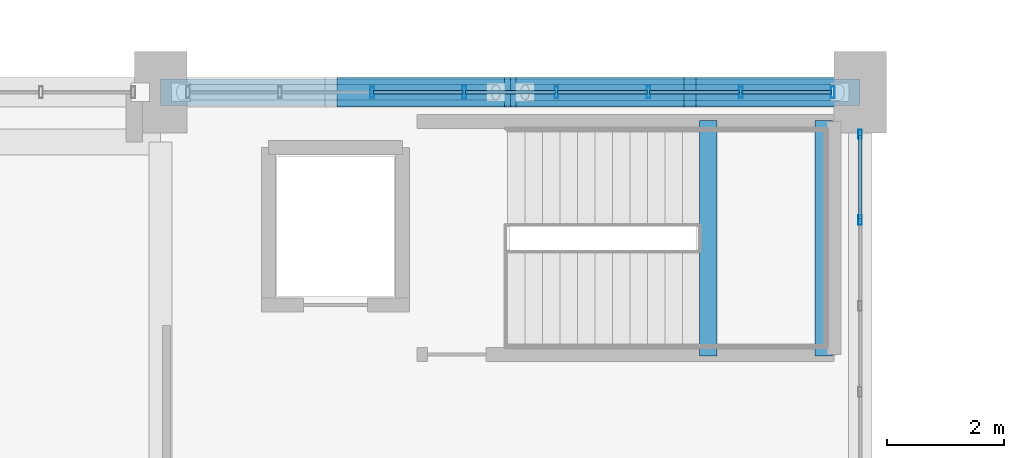
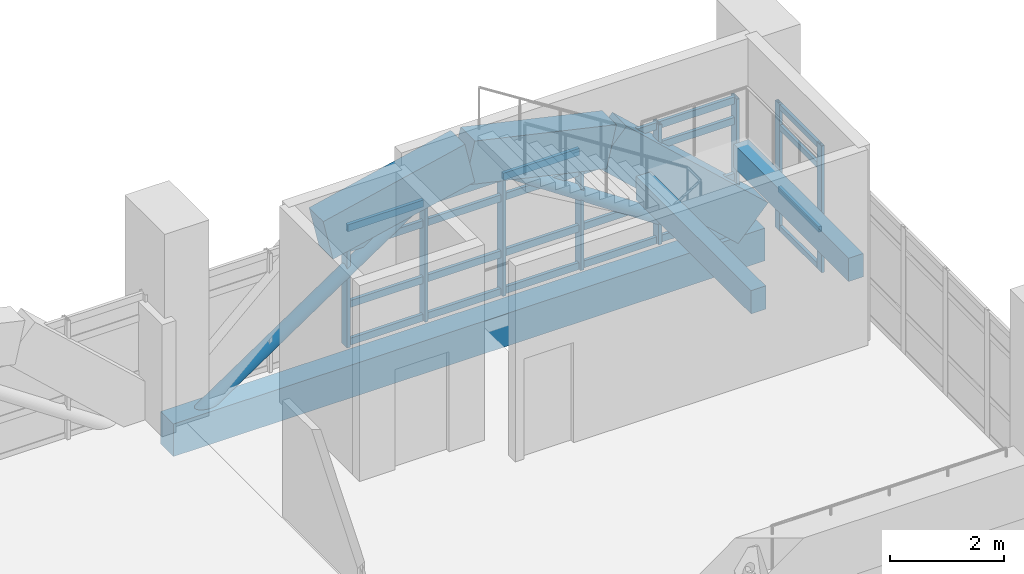
# One storey, part 60 of 161: 34 members, 6 beams, 2 elements without a shape of their own.
"""IFC4 building model written with IfcOpenShell, lengths in metres."""

from ifc_helpers import new_model, si_unit, direction, frame, origin, origin_2d, place, context, subcontext, project, spatial, rectangle, hollow_rectangle, hollow_circle, extrude, material, layer, layer_set, material_profile, profile_set, type_object, element, aggregate, save


model = new_model("IFC4")

# Units and contexts
model_context = context("Model", 3, precision=1e-05, world=origin(), true_north=direction((0.0, 1.0)))
body_context = subcontext(model_context, "Body", "Model", "MODEL_VIEW")
ifc_project = project(units=[si_unit("LENGTHUNIT", "METRE"), si_unit("AREAUNIT", "SQUARE_METRE"), si_unit("VOLUMEUNIT", "CUBIC_METRE"), si_unit("PLANEANGLEUNIT", "RADIAN"), si_unit("MASSUNIT", "GRAM", prefix="KILO")], contexts=[model_context])

# Site, building, storey
site_placement = place(None, origin())
site = spatial("IfcSite", under=ifc_project, at=site_placement, CompositionType="ELEMENT")
building_placement = place(site_placement, origin())
building = spatial("IfcBuilding", under=site, at=building_placement, Name="Mersad Railyard Sports Hall", CompositionType="ELEMENT")
storey_placement = place(building_placement, frame((0.0, 0.0, 4.800048828125)))
storey = spatial("IfcBuildingStorey", under=building, at=storey_placement, Name="L01", CompositionType="ELEMENT", Elevation=4.800048828125)

# Curtain wall, members
ifc_material_1 = material(Name="Aluminium 6063-T6", Category="aluminium")
ifc_layer_1 = layer(ifc_material_1, 0.159912109375)
ifc_layer_set_1 = layer_set([ifc_layer_1], Name="Aluminium 6063-T6")
curtain_wall_type_1 = type_object("IfcCurtainWallType", Name="ARC-CW-CW03", PredefinedType="USERDEFINED", material=ifc_layer_set_1)
curtain_wall_1_placement = place(storey_placement, origin())
curtain_wall_1 = element("IfcCurtainWall", 1, at=curtain_wall_1_placement, inside=storey, type_object=curtain_wall_type_1, Name="Curtain wall CW03-0028", ObjectType="CURTAIN WALL", PredefinedType="USERDEFINED")
ifc_material_profile_1 = material_profile(ifc_material_1, hollow_rectangle(XDim=0.06005859375, YDim=0.159912109375, WallThickness=0.00390625, at=origin_2d()), Name="AL MULLION 60x160x4")
ifc_profile_set_1 = profile_set([ifc_material_profile_1], Name="Aluminium 6063-T6")
member_type_1 = type_object("IfcMemberType", Name="ARC-CW-MUL01", PredefinedType="MULLION", material=ifc_profile_set_1)
member_1_placement = place(storey_placement, frame((91.0, 52.780029296875, -0.02001953125), z_axis=(0.0, 0.0, 1.0), x_axis=(1.0, 0.0, 0.0)))
member_1 = element("IfcMember", 2, at=member_1_placement, type_object=member_type_1, Name="CW03 Mullion 1", PredefinedType="MULLION", context=body_context, shape_type="SweptSolid", body=[
    extrude(hollow_rectangle(XDim=0.06005859375, YDim=0.159912109375, WallThickness=0.00390625, at=origin_2d()), origin(), (0.0, 0.0, 1.0), 2.719970703125),
])
member_2_placement = place(storey_placement, frame((91.0, 51.3076171875, -0.02001953125), z_axis=(0.0, 0.0, 1.0), x_axis=(1.0, 0.0, 0.0)))
member_2 = element("IfcMember", 3, at=member_2_placement, type_object=member_type_1, Name="CW03 Mullion 2", PredefinedType="MULLION", context=body_context, shape_type="SweptSolid", body=[
    extrude(hollow_rectangle(XDim=0.06005859375, YDim=0.159912109375, WallThickness=0.00390625, at=origin_2d()), origin(), (0.0, 0.0, 1.0), 2.719970703125),
])

ifc_layer_2 = layer(ifc_material_1, 0.199951171875)
ifc_layer_set_2 = layer_set([ifc_layer_2], Name="Aluminium 6063-T6")
curtain_wall_type_2 = type_object("IfcCurtainWallType", Name="ARC-CW-CW02", PredefinedType="USERDEFINED", material=ifc_layer_set_2)
curtain_wall_2_placement = place(storey_placement, origin())
curtain_wall_2 = element("IfcCurtainWall", 4, at=curtain_wall_2_placement, inside=storey, type_object=curtain_wall_type_2, Name="Curtain wall CW02-0022", ObjectType="CURTAIN WALL", PredefinedType="USERDEFINED")
ifc_material_profile_2 = material_profile(ifc_material_1, hollow_rectangle(XDim=0.06494140625, YDim=0.199951171875, WallThickness=0.0048828125, at=origin_2d()), Name="AL MULLION 65x200x5")
ifc_profile_set_2 = profile_set([ifc_material_profile_2], Name="Aluminium 6063-T6")
member_type_2 = type_object("IfcMemberType", Name="ARC-CW-MUL02", PredefinedType="MULLION", material=ifc_profile_set_2)
member_3_placement = place(storey_placement, frame((82.6298828125, 53.5, -0.02001953125), z_axis=(0.0, 0.0, 1.0), x_axis=(1.0, 0.0, 0.0)))
member_3 = element("IfcMember", 5, at=member_3_placement, type_object=member_type_2, Name="CW02 Mullion 3", PredefinedType="MULLION", context=body_context, shape_type="SweptSolid", body=[
    extrude(hollow_rectangle(XDim=0.06494140625, YDim=0.199951171875, WallThickness=0.0048828125, at=origin_2d()), origin(), (0.0, 0.0, 1.0), 2.570068359375),
])
member_4_placement = place(storey_placement, frame((84.2099609375, 53.5, -0.02001953125), z_axis=(0.0, 0.0, 1.0), x_axis=(1.0, 0.0, 0.0)))
member_4 = element("IfcMember", 6, at=member_4_placement, type_object=member_type_2, Name="CW02 Mullion 4", PredefinedType="MULLION", context=body_context, shape_type="SweptSolid", body=[
    extrude(hollow_rectangle(XDim=0.06494140625, YDim=0.199951171875, WallThickness=0.0048828125, at=origin_2d()), origin(), (0.0, 0.0, 1.0), 2.570068359375),
])
member_5_placement = place(storey_placement, frame((85.7900390625, 53.5, -0.02001953125), z_axis=(0.0, 0.0, 1.0), x_axis=(1.0, 0.0, 0.0)))
member_5 = element("IfcMember", 7, at=member_5_placement, type_object=member_type_2, Name="CW02 Mullion 5", PredefinedType="MULLION", context=body_context, shape_type="SweptSolid", body=[
    extrude(hollow_rectangle(XDim=0.06494140625, YDim=0.199951171875, WallThickness=0.0048828125, at=origin_2d()), origin(), (0.0, 0.0, 1.0), 2.570068359375),
])
member_6_placement = place(storey_placement, frame((87.3701171875, 53.5, -0.02001953125), z_axis=(0.0, 0.0, 1.0), x_axis=(1.0, 0.0, 0.0)))
member_6 = element("IfcMember", 8, at=member_6_placement, type_object=member_type_2, Name="CW02 Mullion 6", PredefinedType="MULLION", context=body_context, shape_type="SweptSolid", body=[
    extrude(hollow_rectangle(XDim=0.06494140625, YDim=0.199951171875, WallThickness=0.0048828125, at=origin_2d()), origin(), (0.0, 0.0, 1.0), 2.570068359375),
])
member_7_placement = place(storey_placement, frame((88.949951171875, 53.5, -0.02001953125), z_axis=(0.0, 0.0, 1.0), x_axis=(1.0, 0.0, 0.0)))
member_7 = element("IfcMember", 9, at=member_7_placement, type_object=member_type_2, Name="CW02 Mullion 7", PredefinedType="MULLION", context=body_context, shape_type="SweptSolid", body=[
    extrude(hollow_rectangle(XDim=0.06494140625, YDim=0.199951171875, WallThickness=0.0048828125, at=origin_2d()), origin(), (0.0, 0.0, 1.0), 2.570068359375),
])
member_8_placement = place(storey_placement, frame((90.530029296875, 53.5, -0.02001953125), z_axis=(0.0, 0.0, 1.0), x_axis=(1.0, 0.0, 0.0)))
member_8 = element("IfcMember", 10, at=member_8_placement, type_object=member_type_2, Name="CW02 Mullion 8", PredefinedType="MULLION", context=body_context, shape_type="SweptSolid", body=[
    extrude(hollow_rectangle(XDim=0.06494140625, YDim=0.199951171875, WallThickness=0.0048828125, at=origin_2d()), origin(), (0.0, 0.0, 1.0), 2.570068359375),
])

# Member
ifc_material_profile_3 = material_profile(ifc_material_1, hollow_rectangle(XDim=0.06005859375, YDim=0.1201171875, WallThickness=0.00390625, at=origin_2d()), Name="AL TRANSOM 60x120x4")
ifc_profile_set_3 = profile_set([ifc_material_profile_3], Name="Aluminium 6063-T6")
member_type_3 = type_object("IfcMemberType", Name="ARC-CW-TRN01", PredefinedType="USERDEFINED", material=ifc_profile_set_3)
member_9_placement = place(storey_placement, frame((91.0, 52.760009765625, 0.0400390625), z_axis=(0.0, -1.0, 0.0), x_axis=(1.0, 0.0, 0.0)))
member_9 = element("IfcMember", 11, at=member_9_placement, type_object=member_type_3, Name="CW03 Transom 1-1", ObjectType="TRANSOM", PredefinedType="USERDEFINED", context=body_context, shape_type="SweptSolid", body=[
    extrude(hollow_rectangle(XDim=0.06005859375, YDim=0.1201171875, WallThickness=0.00390625, at=origin_2d()), origin(), (0.0, 0.0, 1.0), 1.4326171875),
])

member_10_placement = place(storey_placement, frame((91.0, 52.760009765625, 0.849853515625), z_axis=(0.0, -1.0, 0.0), x_axis=(1.0, 0.0, 0.0)))
member_10 = element("IfcMember", 12, at=member_10_placement, type_object=member_type_3, Name="CW03 Transom 2-1", ObjectType="TRANSOM", PredefinedType="USERDEFINED", context=body_context, shape_type="SweptSolid", body=[
    extrude(hollow_rectangle(XDim=0.06005859375, YDim=0.1201171875, WallThickness=0.00390625, at=origin_2d()), origin(), (0.0, 0.0, 1.0), 1.4326171875),
])

member_11_placement = place(storey_placement, frame((91.0, 52.760009765625, 2.199951171875), z_axis=(0.0, -1.0, 0.0), x_axis=(1.0, 0.0, 0.0)))
member_11 = element("IfcMember", 13, at=member_11_placement, type_object=member_type_3, Name="CW03 Transom 3-1", ObjectType="TRANSOM", PredefinedType="USERDEFINED", context=body_context, shape_type="SweptSolid", body=[
    extrude(hollow_rectangle(XDim=0.06005859375, YDim=0.1201171875, WallThickness=0.00390625, at=origin_2d()), origin(), (0.0, 0.0, 1.0), 1.4326171875),
])

member_12_placement = place(storey_placement, frame((91.0, 52.760009765625, 2.639892578125), z_axis=(0.0, -1.0, 0.0), x_axis=(1.0, 0.0, 0.0)))
member_12 = element("IfcMember", 14, at=member_12_placement, type_object=member_type_3, Name="CW03 Transom 4-1", ObjectType="TRANSOM", PredefinedType="USERDEFINED", context=body_context, shape_type="SweptSolid", body=[
    extrude(hollow_rectangle(XDim=0.06005859375, YDim=0.1201171875, WallThickness=0.00390625, at=origin_2d()), origin(), (0.0, 0.0, 1.0), 1.4326171875),
])

aggregate(curtain_wall_1, [member_1, member_2, member_9, member_10, member_11, member_12])

ifc_material_profile_4 = material_profile(ifc_material_1, hollow_rectangle(XDim=0.06494140625, YDim=0.14990234375, WallThickness=0.00439453125, at=origin_2d()), Name="AL TRANSOM 65x150x4.5")
ifc_profile_set_4 = profile_set([ifc_material_profile_4], Name="Aluminium 6063-T6")
member_type_4 = type_object("IfcMemberType", Name="ARC-CW-TRN02", PredefinedType="USERDEFINED", material=ifc_profile_set_4)
member_13_placement = place(storey_placement, frame((82.64990234375, 53.5, 0.0400390625), z_axis=(1.0, 0.0, 0.0), x_axis=(0.0, 1.0, 0.0)))
member_13 = element("IfcMember", 15, at=member_13_placement, type_object=member_type_4, Name="CW02 Transom 1-3", ObjectType="TRANSOM", PredefinedType="USERDEFINED", context=body_context, shape_type="SweptSolid", body=[
    extrude(hollow_rectangle(XDim=0.06494140625, YDim=0.14990234375, WallThickness=0.00439453125, at=origin_2d()), origin(), (0.0, 0.0, 1.0), 1.5400390625),
])

member_14_placement = place(storey_placement, frame((84.22998046875, 53.5, 0.0400390625), z_axis=(1.0, 0.0, 0.0), x_axis=(0.0, 1.0, 0.0)))
member_14 = element("IfcMember", 16, at=member_14_placement, type_object=member_type_4, Name="CW02 Transom 1-4", ObjectType="TRANSOM", PredefinedType="USERDEFINED", context=body_context, shape_type="SweptSolid", body=[
    extrude(hollow_rectangle(XDim=0.06494140625, YDim=0.14990234375, WallThickness=0.00439453125, at=origin_2d()), origin(), (0.0, 0.0, 1.0), 1.5400390625),
])

member_15_placement = place(storey_placement, frame((85.81005859375, 53.5, 0.0400390625), z_axis=(1.0, 0.0, 0.0), x_axis=(0.0, 1.0, 0.0)))
member_15 = element("IfcMember", 17, at=member_15_placement, type_object=member_type_4, Name="CW02 Transom 1-5", ObjectType="TRANSOM", PredefinedType="USERDEFINED", context=body_context, shape_type="SweptSolid", body=[
    extrude(hollow_rectangle(XDim=0.06494140625, YDim=0.14990234375, WallThickness=0.00439453125, at=origin_2d()), origin(), (0.0, 0.0, 1.0), 1.5400390625),
])

member_16_placement = place(storey_placement, frame((87.389892578125, 53.5, 0.0400390625), z_axis=(1.0, 0.0, 0.0), x_axis=(0.0, 1.0, 0.0)))
member_16 = element("IfcMember", 18, at=member_16_placement, type_object=member_type_4, Name="CW02 Transom 1-6", ObjectType="TRANSOM", PredefinedType="USERDEFINED", context=body_context, shape_type="SweptSolid", body=[
    extrude(hollow_rectangle(XDim=0.06494140625, YDim=0.14990234375, WallThickness=0.00439453125, at=origin_2d()), origin(), (0.0, 0.0, 1.0), 1.5400390625),
])

member_17_placement = place(storey_placement, frame((88.969970703125, 53.5, 0.0400390625), z_axis=(1.0, 0.0, 0.0), x_axis=(0.0, 1.0, 0.0)))
member_17 = element("IfcMember", 19, at=member_17_placement, type_object=member_type_4, Name="CW02 Transom 1-7", ObjectType="TRANSOM", PredefinedType="USERDEFINED", context=body_context, shape_type="SweptSolid", body=[
    extrude(hollow_rectangle(XDim=0.06494140625, YDim=0.14990234375, WallThickness=0.00439453125, at=origin_2d()), origin(), (0.0, 0.0, 1.0), 1.5400390625),
])

member_18_placement = place(storey_placement, frame((82.64990234375, 53.5, 0.849853515625), z_axis=(1.0, 0.0, 0.0), x_axis=(0.0, 1.0, 0.0)))
member_18 = element("IfcMember", 20, at=member_18_placement, type_object=member_type_4, Name="CW02 Transom 2-3", ObjectType="TRANSOM", PredefinedType="USERDEFINED", context=body_context, shape_type="SweptSolid", body=[
    extrude(hollow_rectangle(XDim=0.06494140625, YDim=0.14990234375, WallThickness=0.00439453125, at=origin_2d()), origin(), (0.0, 0.0, 1.0), 1.5400390625),
])

member_19_placement = place(storey_placement, frame((84.22998046875, 53.5, 0.849853515625), z_axis=(1.0, 0.0, 0.0), x_axis=(0.0, 1.0, 0.0)))
member_19 = element("IfcMember", 21, at=member_19_placement, type_object=member_type_4, Name="CW02 Transom 2-4", ObjectType="TRANSOM", PredefinedType="USERDEFINED", context=body_context, shape_type="SweptSolid", body=[
    extrude(hollow_rectangle(XDim=0.06494140625, YDim=0.14990234375, WallThickness=0.00439453125, at=origin_2d()), origin(), (0.0, 0.0, 1.0), 1.5400390625),
])

member_20_placement = place(storey_placement, frame((85.81005859375, 53.5, 0.849853515625), z_axis=(1.0, 0.0, 0.0), x_axis=(0.0, 1.0, 0.0)))
member_20 = element("IfcMember", 22, at=member_20_placement, type_object=member_type_4, Name="CW02 Transom 2-5", ObjectType="TRANSOM", PredefinedType="USERDEFINED", context=body_context, shape_type="SweptSolid", body=[
    extrude(hollow_rectangle(XDim=0.06494140625, YDim=0.14990234375, WallThickness=0.00439453125, at=origin_2d()), origin(), (0.0, 0.0, 1.0), 1.5400390625),
])

member_21_placement = place(storey_placement, frame((87.389892578125, 53.5, 0.849853515625), z_axis=(1.0, 0.0, 0.0), x_axis=(0.0, 1.0, 0.0)))
member_21 = element("IfcMember", 23, at=member_21_placement, type_object=member_type_4, Name="CW02 Transom 2-6", ObjectType="TRANSOM", PredefinedType="USERDEFINED", context=body_context, shape_type="SweptSolid", body=[
    extrude(hollow_rectangle(XDim=0.06494140625, YDim=0.14990234375, WallThickness=0.00439453125, at=origin_2d()), origin(), (0.0, 0.0, 1.0), 1.5400390625),
])

member_22_placement = place(storey_placement, frame((88.969970703125, 53.5, 0.849853515625), z_axis=(1.0, 0.0, 0.0), x_axis=(0.0, 1.0, 0.0)))
member_22 = element("IfcMember", 24, at=member_22_placement, type_object=member_type_4, Name="CW02 Transom 2-7", ObjectType="TRANSOM", PredefinedType="USERDEFINED", context=body_context, shape_type="SweptSolid", body=[
    extrude(hollow_rectangle(XDim=0.06494140625, YDim=0.14990234375, WallThickness=0.00439453125, at=origin_2d()), origin(), (0.0, 0.0, 1.0), 1.5400390625),
])

member_23_placement = place(storey_placement, frame((82.64990234375, 53.5, 2.050048828125), z_axis=(1.0, 0.0, 0.0), x_axis=(0.0, 1.0, 0.0)))
member_23 = element("IfcMember", 25, at=member_23_placement, type_object=member_type_4, Name="CW02 Transom 3-3", ObjectType="TRANSOM", PredefinedType="USERDEFINED", context=body_context, shape_type="SweptSolid", body=[
    extrude(hollow_rectangle(XDim=0.06494140625, YDim=0.14990234375, WallThickness=0.00439453125, at=origin_2d()), origin(), (0.0, 0.0, 1.0), 1.5400390625),
])

member_24_placement = place(storey_placement, frame((84.22998046875, 53.5, 2.050048828125), z_axis=(1.0, 0.0, 0.0), x_axis=(0.0, 1.0, 0.0)))
member_24 = element("IfcMember", 26, at=member_24_placement, type_object=member_type_4, Name="CW02 Transom 3-4", ObjectType="TRANSOM", PredefinedType="USERDEFINED", context=body_context, shape_type="SweptSolid", body=[
    extrude(hollow_rectangle(XDim=0.06494140625, YDim=0.14990234375, WallThickness=0.00439453125, at=origin_2d()), origin(), (0.0, 0.0, 1.0), 1.5400390625),
])

member_25_placement = place(storey_placement, frame((85.81005859375, 53.5, 2.050048828125), z_axis=(1.0, 0.0, 0.0), x_axis=(0.0, 1.0, 0.0)))
member_25 = element("IfcMember", 27, at=member_25_placement, type_object=member_type_4, Name="CW02 Transom 3-5", ObjectType="TRANSOM", PredefinedType="USERDEFINED", context=body_context, shape_type="SweptSolid", body=[
    extrude(hollow_rectangle(XDim=0.06494140625, YDim=0.14990234375, WallThickness=0.00439453125, at=origin_2d()), origin(), (0.0, 0.0, 1.0), 1.5400390625),
])

member_26_placement = place(storey_placement, frame((87.389892578125, 53.5, 2.050048828125), z_axis=(1.0, 0.0, 0.0), x_axis=(0.0, 1.0, 0.0)))
member_26 = element("IfcMember", 28, at=member_26_placement, type_object=member_type_4, Name="CW02 Transom 3-6", ObjectType="TRANSOM", PredefinedType="USERDEFINED", context=body_context, shape_type="SweptSolid", body=[
    extrude(hollow_rectangle(XDim=0.06494140625, YDim=0.14990234375, WallThickness=0.00439453125, at=origin_2d()), origin(), (0.0, 0.0, 1.0), 1.5400390625),
])

member_27_placement = place(storey_placement, frame((88.969970703125, 53.5, 2.050048828125), z_axis=(1.0, 0.0, 0.0), x_axis=(0.0, 1.0, 0.0)))
member_27 = element("IfcMember", 29, at=member_27_placement, type_object=member_type_4, Name="CW02 Transom 3-7", ObjectType="TRANSOM", PredefinedType="USERDEFINED", context=body_context, shape_type="SweptSolid", body=[
    extrude(hollow_rectangle(XDim=0.06494140625, YDim=0.14990234375, WallThickness=0.00439453125, at=origin_2d()), origin(), (0.0, 0.0, 1.0), 1.5400390625),
])

member_28_placement = place(storey_placement, frame((82.64990234375, 53.5, 2.489990234375), z_axis=(1.0, 0.0, 0.0), x_axis=(0.0, 1.0, 0.0)))
member_28 = element("IfcMember", 30, at=member_28_placement, type_object=member_type_4, Name="CW02 Transom 4-3", ObjectType="TRANSOM", PredefinedType="USERDEFINED", context=body_context, shape_type="SweptSolid", body=[
    extrude(hollow_rectangle(XDim=0.06494140625, YDim=0.14990234375, WallThickness=0.00439453125, at=origin_2d()), origin(), (0.0, 0.0, 1.0), 1.5400390625),
])

member_29_placement = place(storey_placement, frame((84.22998046875, 53.5, 2.489990234375), z_axis=(1.0, 0.0, 0.0), x_axis=(0.0, 1.0, 0.0)))
member_29 = element("IfcMember", 31, at=member_29_placement, type_object=member_type_4, Name="CW02 Transom 4-4", ObjectType="TRANSOM", PredefinedType="USERDEFINED", context=body_context, shape_type="SweptSolid", body=[
    extrude(hollow_rectangle(XDim=0.06494140625, YDim=0.14990234375, WallThickness=0.00439453125, at=origin_2d()), origin(), (0.0, 0.0, 1.0), 1.5400390625),
])

member_30_placement = place(storey_placement, frame((85.81005859375, 53.5, 2.489990234375), z_axis=(1.0, 0.0, 0.0), x_axis=(0.0, 1.0, 0.0)))
member_30 = element("IfcMember", 32, at=member_30_placement, type_object=member_type_4, Name="CW02 Transom 4-5", ObjectType="TRANSOM", PredefinedType="USERDEFINED", context=body_context, shape_type="SweptSolid", body=[
    extrude(hollow_rectangle(XDim=0.06494140625, YDim=0.14990234375, WallThickness=0.00439453125, at=origin_2d()), origin(), (0.0, 0.0, 1.0), 1.5400390625),
])

member_31_placement = place(storey_placement, frame((87.389892578125, 53.5, 2.489990234375), z_axis=(1.0, 0.0, 0.0), x_axis=(0.0, 1.0, 0.0)))
member_31 = element("IfcMember", 33, at=member_31_placement, type_object=member_type_4, Name="CW02 Transom 4-6", ObjectType="TRANSOM", PredefinedType="USERDEFINED", context=body_context, shape_type="SweptSolid", body=[
    extrude(hollow_rectangle(XDim=0.06494140625, YDim=0.14990234375, WallThickness=0.00439453125, at=origin_2d()), origin(), (0.0, 0.0, 1.0), 1.5400390625),
])

member_32_placement = place(storey_placement, frame((88.969970703125, 53.5, 2.489990234375), z_axis=(1.0, 0.0, 0.0), x_axis=(0.0, 1.0, 0.0)))
member_32 = element("IfcMember", 34, at=member_32_placement, type_object=member_type_4, Name="CW02 Transom 4-7", ObjectType="TRANSOM", PredefinedType="USERDEFINED", context=body_context, shape_type="SweptSolid", body=[
    extrude(hollow_rectangle(XDim=0.06494140625, YDim=0.14990234375, WallThickness=0.00439453125, at=origin_2d()), origin(), (0.0, 0.0, 1.0), 1.5400390625),
])

aggregate(curtain_wall_2, [member_3, member_4, member_5, member_6, member_7, member_8, member_13, member_14, member_15, member_16, member_17, member_18, member_19, member_20, member_21, member_22, member_23, member_24, member_25, member_26, member_27, member_28, member_29, member_30, member_31, member_32])

# Beams
ifc_material_2 = material(Name="Concrete C40/50", Category="concrete")
ifc_material_profile_5 = material_profile(ifc_material_2, rectangle(XDim=0.300048828125, YDim=0.5, at=origin_2d()), Name="RC 300x500")
ifc_profile_set_5 = profile_set([ifc_material_profile_5], Name="Concrete C40/50")
beam_type_1 = type_object("IfcBeamType", Name="STR-BM-LN01", PredefinedType="LINTEL", material=ifc_profile_set_5)
for number, where, z_axis, x_axis, name in (
    (35, (88.389892578125, 48.97998046875, 1.669921875), (0.0, 1.0, 0.0), (-1.0, 0.0, 0.0), "Stair ST08B landing beam W"),
    (36, (90.3701171875, 48.97998046875, 1.669921875), (0.0, 1.0, 0.0), (-1.0, 0.0, 0.0), "Stair ST08B landing beam E"),
):
    element("IfcBeam", number, at=place(storey_placement, frame(where, z_axis=z_axis, x_axis=x_axis)), inside=storey, type_object=beam_type_1, Name=name, PredefinedType="LINTEL", context=body_context, shape_type="SweptSolid", body=[
        extrude(rectangle(XDim=0.300048828125, YDim=0.5, at=origin_2d()), origin(), (0.0, 0.0, 1.0), 4.0400390625),
    ])
ifc_material_3 = material(Name="Architectural concrete C40/50", Category="concrete")
ifc_material_profile_6 = material_profile(ifc_material_3, rectangle(XDim=0.449951171875, YDim=0.699951171875, at=origin_2d()), Name="RC 450x700")
ifc_profile_set_6 = profile_set([ifc_material_profile_6], Name="Architectural concrete C40/50")
beam_type_2 = type_object("IfcBeamType", Name="STR-BM-SP01", PredefinedType="SPANDREL", material=ifc_profile_set_6)
beam_1_placement = place(storey_placement, frame((79.0, 53.5, -0.66015625), z_axis=(1.0, 0.0, 0.0), x_axis=(0.0, 1.0, 0.0)))
element("IfcBeam", 37, at=beam_1_placement, inside=storey, type_object=beam_type_2, Name="Beam SP01-0385", PredefinedType="SPANDREL", context=body_context, shape_type="SweptSolid", body=[
    extrude(rectangle(XDim=0.449951171875, YDim=0.699951171875, at=origin_2d()), origin(), (0.0, 0.0, 1.0), 12.0),
])
ifc_material_4 = material(Name="Architectural concrete C50/60", Category="concrete")
ifc_material_profile_7 = material_profile(ifc_material_4, rectangle(XDim=0.5, YDim=0.89990234375, at=origin_2d()), Name="VR 500x900")
ifc_profile_set_7 = profile_set([ifc_material_profile_7], Name="Architectural concrete C50/60")
beam_type_3 = type_object("IfcBeamType", Name="STR-BM-VR02", PredefinedType="BEAM", material=ifc_profile_set_7)
for number, where, z_axis, x_axis, name in (
    (38, (82.125, 53.5, 2.54736328125), (0.97519301708, 0.0, 0.221356227467), (0.0, 1.0, 0.0), "Beam VR02-0389"),
    (39, (85.0, 53.5, 3.199951171875), (0.97519301708, 0.0, -0.221356227467), (0.0, 1.0, 0.0), "Beam VR02-0391"),
):
    element("IfcBeam", number, at=place(storey_placement, frame(where, z_axis=z_axis, x_axis=x_axis)), inside=storey, type_object=beam_type_3, Name=name, PredefinedType="BEAM", context=body_context, shape_type="SweptSolid", body=[
        extrude(rectangle(XDim=0.5, YDim=0.89990234375, at=origin_2d()), origin(), (0.0, 0.0, 1.0), 2.9482421875),
    ])
beam_2_placement = place(storey_placement, frame((87.875, 53.5, 2.54736328125), z_axis=(0.735617187873, 0.0, -0.677397485164), x_axis=(0.0, 1.0, 0.0)))
element("IfcBeam", 40, at=beam_2_placement, inside=storey, type_object=beam_type_3, Name="Beam VR02-0393", PredefinedType="BEAM", context=body_context, shape_type="SweptSolid", body=[
    extrude(rectangle(XDim=0.5, YDim=0.89990234375, at=origin_2d()), origin(), (0.0, 0.0, 1.0), 3.908203125),
])

# Members
ifc_material_5 = material(Name="Steel S355", Category="steel")
ifc_material_profile_8 = material_profile(ifc_material_5, hollow_circle(Radius=0.136474609375, WallThickness=0.012451171875, at=origin_2d()), Name="CHS 273x12.5")
ifc_profile_set_8 = profile_set([ifc_material_profile_8], Name="Steel S355")
member_type_5 = type_object("IfcMemberType", Name="STR-MEM-BR02", PredefinedType="BRACE", material=ifc_profile_set_8)
for number, where, z_axis, x_axis, name in (
    (41, (79.35009765625, 53.5, -0.6201171875), (0.829190125257, 0.0, 0.558966668215), (0.0, 1.0, 0.0), "Structural member BR02-0027"),
    (42, (90.64990234375, 53.5, -0.6201171875), (-0.829190125257, 0.0, 0.558966668215), (0.0, -1.0, 0.0), "Structural member BR02-0028"),
):
    element("IfcMember", number, at=place(storey_placement, frame(where, z_axis=z_axis, x_axis=x_axis)), inside=storey, type_object=member_type_5, Name=name, PredefinedType="BRACE", context=body_context, shape_type="SweptSolid", body=[
        extrude(hollow_circle(Radius=0.136474609375, WallThickness=0.012451171875, at=origin_2d()), origin(), (0.0, 0.0, 1.0), 6.51220703125),
    ])

save(model, "model.ifc")
